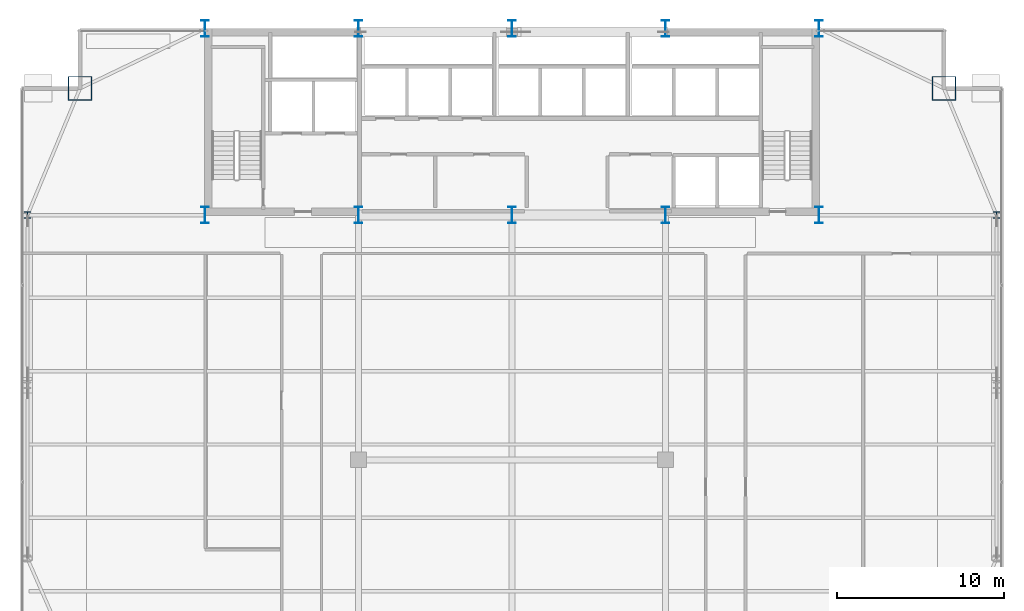
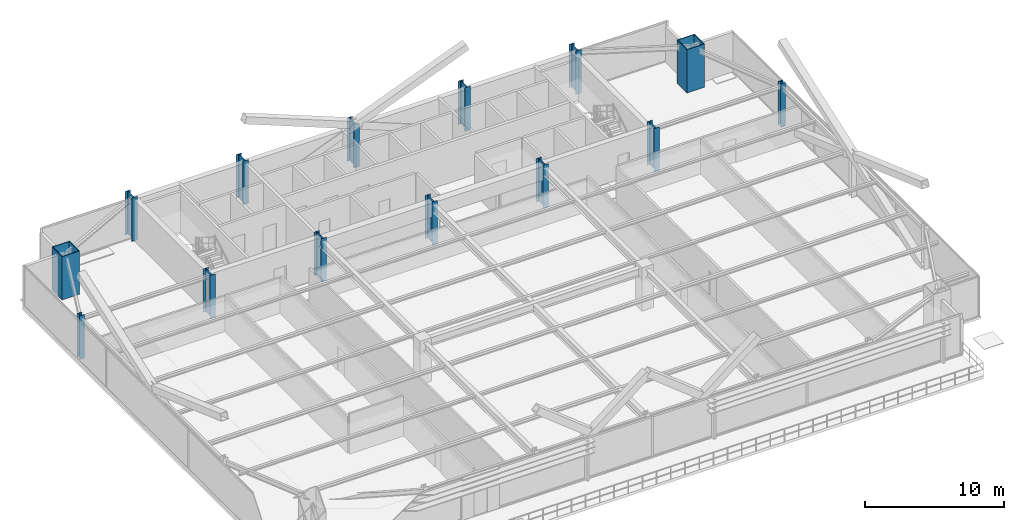
# One storey, part 2 of 35: 14 columns.
"""IFC4 building model written with IfcOpenShell, lengths in metres."""

from ifc_helpers import new_model, si_unit, direction, frame, origin, origin_2d, place, context, subcontext, project, spatial, hollow_rectangle, i_section, extrude, source, transform, mapped, material, material_profile, profile_set, type_object, type_shapes, element, save


model = new_model("IFC4")

# Units and contexts
model_context = context("Model", 3, precision=1e-05, world=origin(), true_north=direction((0.0, 1.0)))
body_context = subcontext(model_context, "Body", "Model", "MODEL_VIEW")
ifc_project = project(units=[si_unit("LENGTHUNIT", "METRE"), si_unit("AREAUNIT", "SQUARE_METRE"), si_unit("VOLUMEUNIT", "CUBIC_METRE"), si_unit("PLANEANGLEUNIT", "RADIAN"), si_unit("MASSUNIT", "GRAM", prefix="KILO")], contexts=[model_context])

# Site, building, storey
site_placement = place(None, origin())
site = spatial("IfcSite", under=ifc_project, at=site_placement, CompositionType="ELEMENT")
building_placement = place(site_placement, origin())
building = spatial("IfcBuilding", under=site, at=building_placement, Name="Varnel Quay Broadcast Tower", CompositionType="ELEMENT")
storey_placement = place(building_placement, frame((0.0, 0.0, 87.0)))
storey = spatial("IfcBuildingStorey", under=building, at=storey_placement, Name="L20", CompositionType="ELEMENT", Elevation=87.0)

# Columns
ifc_material_1 = material(Name="Structural Steel CSA G40.21 350WT", Category="steel")
ifc_material_profile_1 = material_profile(ifc_material_1, i_section(OverallWidth=0.449951171875, OverallDepth=1.0, WebThickness=0.01611328125, FlangeThickness=0.030029296875, FilletRadius=0.01611328125, at=origin_2d()), Name="WWF1000X362")
ifc_profile_set_1 = profile_set([ifc_material_profile_1], Name="Structural Steel CSA G40.21 350WT")
column_type_1 = type_object("IfcColumnType", Name="Col_WWF1000X362", PredefinedType="COLUMN", material=ifc_profile_set_1)
shared_shape_1 = source(origin(), body_context, "Body", "SweptSolid", [
    extrude(i_section(OverallWidth=0.449951171875, OverallDepth=1.0, WebThickness=0.01611328125, FlangeThickness=0.030029296875, FilletRadius=0.01611328125, at=origin_2d()), origin(), (0.0, 0.0, 1.0), 3.800048828125),
])
type_shapes(column_type_1, [shared_shape_1])
for number, where, z_axis, x_axis, name in (
    (1, (15.60009765625, 35.60009765625, 0.0), (0.0, 0.0, 1.0), (1.0, 0.0, 0.0), "L20 Column CC-S1"),
    (2, (15.60009765625, 46.800048828125, 0.0), (0.0, 0.0, 1.0), (1.0, 0.0, 0.0), "L20 Column CC-N1"),
    (3, (24.800048828125, 35.60009765625, 0.0), (0.0, 0.0, 1.0), (1.0, 0.0, 0.0), "L20 Column CC-S2"),
    (4, (24.800048828125, 46.800048828125, 0.0), (0.0, 0.0, 1.0), (1.0, 0.0, 0.0), "L20 Column CC-N2"),
    (5, (34.0, 35.60009765625, 0.0), (0.0, 0.0, 1.0), (1.0, 0.0, 0.0), "L20 Column CC-S3"),
    (6, (34.0, 46.800048828125, 0.0), (0.0, 0.0, 1.0), (1.0, 0.0, 0.0), "L20 Column CC-N3"),
    (7, (43.199951171875, 35.60009765625, 0.0), (0.0, 0.0, 1.0), (1.0, 0.0, 0.0), "L20 Column CC-S4"),
    (8, (43.199951171875, 46.800048828125, 0.0), (0.0, 0.0, 1.0), (1.0, 0.0, 0.0), "L20 Column CC-N4"),
    (9, (52.39990234375, 35.60009765625, 0.0), (0.0, 0.0, 1.0), (1.0, 0.0, 0.0), "L20 Column CC-S5"),
    (10, (52.39990234375, 46.800048828125, 0.0), (0.0, 0.0, 1.0), (1.0, 0.0, 0.0), "L20 Column CC-N5"),
):
    element("IfcColumn", number, at=place(storey_placement, frame(where, z_axis=z_axis, x_axis=x_axis)), inside=storey, type_object=column_type_1, Name=name, PredefinedType="COLUMN", context=body_context, shape_type="MappedRepresentation", body=[
        mapped(shared_shape_1, transform((0.0, 0.0, 0.0), x_axis=(1.0, 0.0, 0.0), y_axis=(0.0, 1.0, 0.0), z_axis=(0.0, 0.0, 1.0), scale=1.0)),
    ])
ifc_material_profile_2 = material_profile(ifc_material_1, hollow_rectangle(XDim=1.449951171875, YDim=1.449951171875, WallThickness=0.054931640625, at=origin_2d()), Name="BOX1450X1450X55")
ifc_profile_set_2 = profile_set([ifc_material_profile_2], Name="Structural Steel CSA G40.21 350WT")
column_type_2 = type_object("IfcColumnType", Name="Col_BOX1450X1450X55", PredefinedType="COLUMN", material=ifc_profile_set_2)
shared_shape_2 = source(origin(), body_context, "Body", "SweptSolid", [
    extrude(hollow_rectangle(XDim=1.449951171875, YDim=1.449951171875, WallThickness=0.054931640625, at=origin_2d()), origin(), (0.0, 0.0, 1.0), 3.800048828125),
])
type_shapes(column_type_2, [shared_shape_2])
for number, where, z_axis, x_axis, name in (
    (11, (59.89990234375, 43.199951171875, 0.0), (0.0, 0.0, 1.0), (1.0, 0.0, 0.0), "L20 Column MC-NE"),
    (12, (8.10009765625, 43.199951171875, 0.0), (0.0, 0.0, 1.0), (1.0, 0.0, 0.0), "L20 Column MC-NW"),
):
    element("IfcColumn", number, at=place(storey_placement, frame(where, z_axis=z_axis, x_axis=x_axis)), inside=storey, type_object=column_type_2, Name=name, PredefinedType="COLUMN", context=body_context, shape_type="MappedRepresentation", body=[
        mapped(shared_shape_2, transform((0.0, 0.0, 0.0), x_axis=(1.0, 0.0, 0.0), y_axis=(0.0, 1.0, 0.0), z_axis=(0.0, 0.0, 1.0), scale=1.0)),
    ])
ifc_material_2 = material(Name="Structural Steel CSA G40.21 350W", Category="steel")
ifc_material_profile_3 = material_profile(ifc_material_2, i_section(OverallWidth=0.39794921875, OverallDepth=0.386962890625, WebThickness=0.02099609375, FlangeThickness=0.033203125, FilletRadius=0.01806640625, at=origin_2d()), Name="W360X262")
ifc_profile_set_3 = profile_set([ifc_material_profile_3], Name="Structural Steel CSA G40.21 350W")
column_type_3 = type_object("IfcColumnType", Name="Col_W360X262", PredefinedType="COLUMN", material=ifc_profile_set_3)
shared_shape_3 = source(origin(), body_context, "Body", "SweptSolid", [
    extrude(i_section(OverallWidth=0.39794921875, OverallDepth=0.386962890625, WebThickness=0.02099609375, FlangeThickness=0.033203125, FilletRadius=0.01806640625, at=origin_2d()), origin(), (0.0, 0.0, 1.0), 3.800048828125),
])
type_shapes(column_type_3, [shared_shape_3])
for number, where, z_axis, x_axis, name in (
    (13, (4.949951171875, 35.60009765625, 0.0), (0.0, 0.0, 1.0), (1.0, 0.0, 0.0), "L20 Column TC-W3"),
    (14, (63.050048828125, 35.60009765625, 0.0), (0.0, 0.0, 1.0), (1.0, 0.0, 0.0), "L20 Column TC-E3"),
):
    element("IfcColumn", number, at=place(storey_placement, frame(where, z_axis=z_axis, x_axis=x_axis)), inside=storey, type_object=column_type_3, Name=name, PredefinedType="COLUMN", context=body_context, shape_type="MappedRepresentation", body=[
        mapped(shared_shape_3, transform((0.0, 0.0, 0.0), x_axis=(1.0, 0.0, 0.0), y_axis=(0.0, 1.0, 0.0), z_axis=(0.0, 0.0, 1.0), scale=1.0)),
    ])

save(model, "model.ifc")
